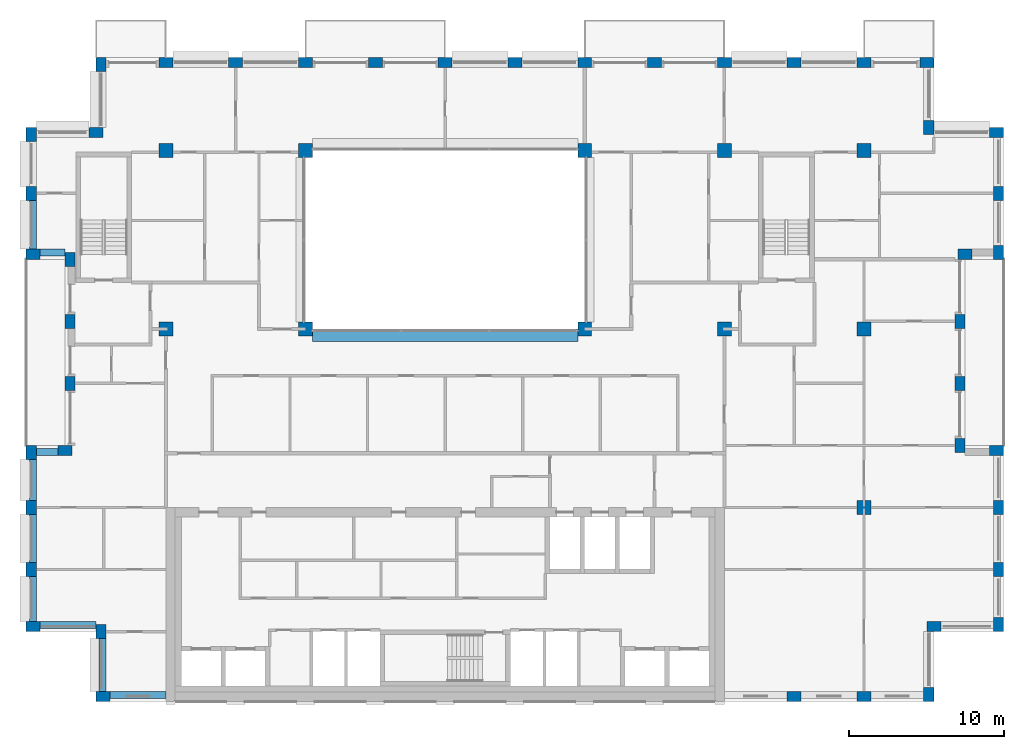
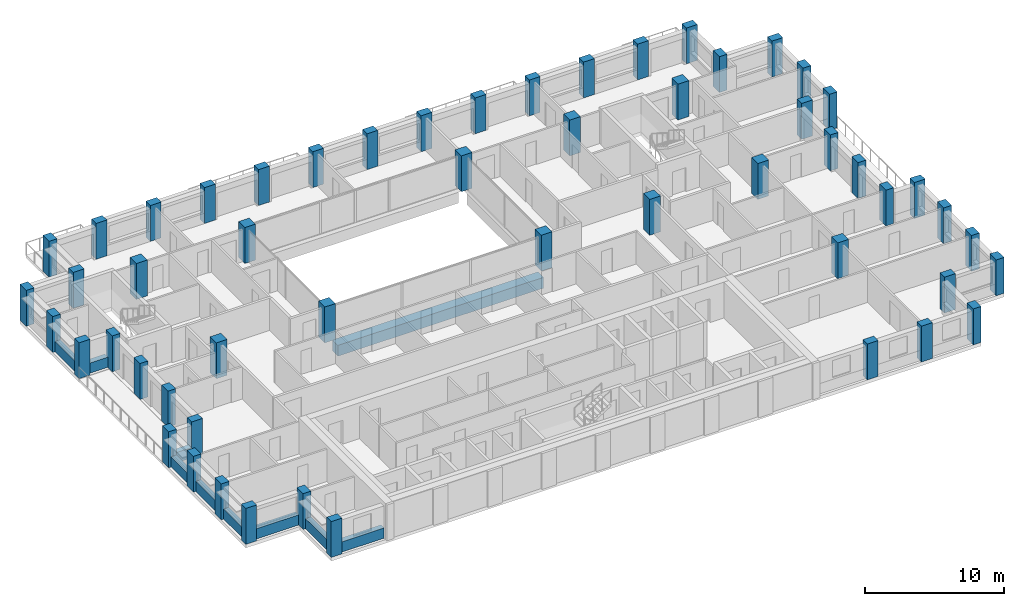
# One storey, part 1 of 15: 54 columns, 10 beams.
"""IFC4 building model written with IfcOpenShell, lengths in metres."""

import ifcopenshell
import ifcopenshell.guid

model = None  # the IFC model being written
_history = None  # IfcOwnerHistory: only IFC2X3 demands one
_inside = {}  # id of a spatial element -> (the spatial element, [elements in it])
_under = {}  # id of a project, library or spatial element -> (it, [spatial elements below it])
_declared = {}  # id of a project -> (the project, [libraries it declares])
_typed = {}  # id of a type object -> (the type object, [elements of that type])
_made_of = {}  # id of a material, layer set ... -> (it, [elements and type objects made of it])


def new_model(schema):
    """Start an empty IFC model of exactly this schema.

    Asked for "IFC4X3", IfcOpenShell would pick the latest addendum, in which some entities
    have other attributes; the version numbers below select the first issue.
    IFC2X3 requires an IfcOwnerHistory on every rooted entity: one is made here for all.
    """
    global model, _history
    if schema == "IFC4X3":
        model = ifcopenshell.file(schema_version=(4, 3, 0, 0))
    else:
        model = ifcopenshell.file(schema=schema)
    _inside.clear()
    _under.clear()
    _declared.clear()
    _typed.clear()
    _made_of.clear()
    _history = None
    if model.schema == "IFC2X3":
        org = make("IfcOrganization", Name="unknown")
        user = make(
            "IfcPersonAndOrganization",
            ThePerson=make("IfcPerson", FamilyName="unknown"),
            TheOrganization=org,
        )
        app = make(
            "IfcApplication",
            ApplicationDeveloper=org,
            Version="unknown",
            ApplicationFullName="unknown",
            ApplicationIdentifier="unknown",
        )
        _history = make(
            "IfcOwnerHistory",
            OwningUser=user,
            OwningApplication=app,
            ChangeAction="ADDED",
            CreationDate=0,
        )
    return model


def make(cls, **values):
    """One entity of the class cls with the attributes given. An attribute that is None is left unset."""
    return model.create_entity(
        cls, **{name: value for name, value in values.items() if value is not None}
    )


def rooted(cls, **values):
    """An entity with a GlobalId (a new one), such as an element, a storey or a relation."""
    return make(cls, GlobalId=ifcopenshell.guid.new(), OwnerHistory=_history, **values)


def si_unit(unit_type, name, prefix=None):
    """IfcSIUnit, for example si_unit("LENGTHUNIT", "METRE", prefix="MILLI")."""
    return make("IfcSIUnit", UnitType=unit_type, Prefix=prefix, Name=name)


def assignment(units):
    """IfcUnitAssignment: the units of a project."""
    return None if units is None else make("IfcUnitAssignment", Units=units)


def point(xyz):
    """IfcCartesianPoint."""
    return None if xyz is None else make("IfcCartesianPoint", Coordinates=xyz)


def direction(xyz):
    """IfcDirection."""
    return None if xyz is None else make("IfcDirection", DirectionRatios=xyz)


def frame(location, z_axis=None, x_axis=None):
    """IfcAxis2Placement3D, a coordinate frame: its origin and axes. An axis left out is left unset."""
    return make(
        "IfcAxis2Placement3D",
        Location=point(location),
        Axis=direction(z_axis),
        RefDirection=direction(x_axis),
    )


def frame_2d(location, x_axis=None):
    """IfcAxis2Placement2D, a coordinate frame in the plane: its origin and x axis."""
    return make(
        "IfcAxis2Placement2D", Location=point(location), RefDirection=direction(x_axis)
    )


def origin():
    """The frame at (0, 0, 0) with its axes left unset."""
    return frame((0.0, 0.0, 0.0))


def origin_2d():
    """The frame at (0, 0) in the plane with its x axis left unset."""
    return frame_2d((0.0, 0.0))


def place(relative_to, where):
    """IfcLocalPlacement: puts the frame where relative to a parent placement (None: the world)."""
    return make(
        "IfcLocalPlacement", PlacementRelTo=relative_to, RelativePlacement=where
    )


def context(
    kind, dimensions, precision=None, world=None, true_north=None, identifier=None
):
    """IfcGeometricRepresentationContext, for example the 3D "Model" context."""
    return make(
        "IfcGeometricRepresentationContext",
        ContextIdentifier=identifier,
        ContextType=kind,
        CoordinateSpaceDimension=dimensions,
        Precision=precision,
        WorldCoordinateSystem=world,
        TrueNorth=true_north,
    )


def subcontext(parent, identifier, kind, view, scale=None):
    """IfcGeometricRepresentationSubContext, for example "Body" below "Model"."""
    return make(
        "IfcGeometricRepresentationSubContext",
        ContextIdentifier=identifier,
        ContextType=kind,
        ParentContext=parent,
        TargetScale=scale,
        TargetView=view,
    )


def project(units=None, contexts=None):
    """IfcProject with its units and contexts."""
    return rooted(
        "IfcProject",
        Name="project",
        RepresentationContexts=contexts,
        UnitsInContext=assignment(units),
    )


def spatial(cls, under=None, at=None, **own):
    """A site, building, storey or space (cls), placed at a placement, below another one or the project."""
    s = rooted(cls, ObjectPlacement=at, **own)
    if under is not None:
        _under.setdefault(under.id(), (under, []))[1].append(s)
    return s


def profile(cls, at=None, kind="AREA", **sizes):
    """A parametric profile (cls). Its sizes go by their IFC names, for example OverallWidth=200.0."""
    return make(cls, ProfileType=kind, Position=at, **sizes)


def rectangle(**sizes):
    """IfcRectangleProfileDef."""
    return profile("IfcRectangleProfileDef", **sizes)


def extrude(swept, where, along, depth):
    """IfcExtrudedAreaSolid: the profile swept, set in the frame where, extruded along a direction by depth."""
    return make(
        "IfcExtrudedAreaSolid",
        SweptArea=swept,
        Position=where,
        ExtrudedDirection=direction(along),
        Depth=depth,
    )


def shape(context_of_items, identifier, shape_type, items):
    """IfcShapeRepresentation: the items that make up one representation, for example the "Body"."""
    return make(
        "IfcShapeRepresentation",
        ContextOfItems=context_of_items,
        RepresentationIdentifier=identifier,
        RepresentationType=shape_type,
        Items=items,
    )


def material(Name=None, Category=None):
    """IfcMaterial."""
    return make("IfcMaterial", Name=Name, Category=Category)


def material_profile(
    of_material, cross_section, Name=None, Category=None, Priority=None
):
    """IfcMaterialProfile: a cross section and its material."""
    return make(
        "IfcMaterialProfile",
        Name=Name,
        Material=of_material,
        Profile=cross_section,
        Priority=Priority,
        Category=Category,
    )


def profile_set(profiles, Name=None, composite=None):
    """IfcMaterialProfileSet."""
    return make(
        "IfcMaterialProfileSet",
        Name=Name,
        MaterialProfiles=profiles,
        CompositeProfile=composite,
    )


def made_of(thing, what):
    """Note that an element or type object is made of a material, layer set ...; save() writes the relation."""
    if what is not None:
        _made_of.setdefault(what.id(), (what, []))[1].append(thing)
    return thing


def type_object(cls, material=None, **own):
    """A type object (cls), such as IfcWallType, which elements share."""
    return made_of(rooted(cls, **own), material)


def element(
    cls,
    number,
    at=None,
    inside=None,
    cuts=None,
    type_object=None,
    material=None,
    context=None,
    identifier="Body",
    shape_type=None,
    held_by="IfcProductDefinitionShape",
    body=None,
    shapes=None,
    **own,
):
    """One element of the class cls, such as IfcWall. Its Tag is "e" and its number.

    at: its placement. inside: the storey or other place that contains it. cuts: it is an
    opening in that element (IfcRelVoidsElement). A single representation is given by context,
    identifier, shape_type and body (its items); several are given by shapes. held_by: the class
    of the entity that holds the representations. save() writes the other relations.
    """
    e = rooted(cls, Tag="e%d" % number, ObjectPlacement=at, **own)
    if body is not None:
        shapes = [shape(context, identifier, shape_type, body)]
    if shapes is not None:
        e.Representation = make(held_by, Representations=shapes)
    if inside is not None:
        _inside.setdefault(inside.id(), (inside, []))[1].append(e)
    if cuts is not None:
        rooted(
            "IfcRelVoidsElement", RelatingBuildingElement=cuts, RelatedOpeningElement=e
        )
    if type_object is not None:
        _typed.setdefault(type_object.id(), (type_object, []))[1].append(e)
    return made_of(e, material)


def aggregate(whole, parts):
    """IfcRelAggregates: a whole, such as a stair, and the parts it consists of."""
    return rooted("IfcRelAggregates", RelatingObject=whole, RelatedObjects=parts)


def save(model, path):
    """Write the relations noted so far, then the file.

    IfcRelAggregates (storeys below a building ...), IfcRelContainedInSpatialStructure (elements
    in a storey), IfcRelDefinesByType, IfcRelAssociatesMaterial and IfcRelDeclares: one each for
    every whole, place, type object, material and project.
    """
    for whole, parts in _under.values():
        aggregate(whole, parts)
    for where, things in _inside.values():
        rooted(
            "IfcRelContainedInSpatialStructure",
            RelatedElements=things,
            RelatingStructure=where,
        )
    for kind, things in _typed.values():
        rooted("IfcRelDefinesByType", RelatedObjects=things, RelatingType=kind)
    for what, things in _made_of.values():
        rooted("IfcRelAssociatesMaterial", RelatedObjects=things, RelatingMaterial=what)
    for by, libraries in _declared.values():
        rooted("IfcRelDeclares", RelatingContext=by, RelatedDefinitions=libraries)
    model.write(path)


model = new_model("IFC4")

# Units and contexts
model_context = context("Model", 3, precision=1e-05, world=origin(), true_north=direction((0.0, 1.0)))
body_context = subcontext(model_context, "Body", "Model", "MODEL_VIEW")
ifc_project = project(units=[si_unit("LENGTHUNIT", "METRE"), si_unit("AREAUNIT", "SQUARE_METRE"), si_unit("VOLUMEUNIT", "CUBIC_METRE"), si_unit("PLANEANGLEUNIT", "RADIAN"), si_unit("MASSUNIT", "GRAM", prefix="KILO")], contexts=[model_context])

# Site, building, storey
site_placement = place(None, origin())
site = spatial("IfcSite", under=ifc_project, at=site_placement, CompositionType="ELEMENT")
building_placement = place(site_placement, origin())
building = spatial("IfcBuilding", under=site, at=building_placement, Name="Brigalow Station Residences", CompositionType="ELEMENT")
storey_placement = place(building_placement, frame((0.0, 0.0, 210.60009765625)))
storey = spatial("IfcBuildingStorey", under=building, at=storey_placement, Name="L60", CompositionType="ELEMENT", Elevation=210.60009765625)

# Columns
ifc_material_1 = material(Name="Concrete C50", Category="concrete")
ifc_material_profile_1 = material_profile(ifc_material_1, rectangle(XDim=0.89990234375, YDim=0.89990234375, at=origin_2d()), Name="RC900x900")
ifc_profile_set_1 = profile_set([ifc_material_profile_1], Name="Concrete C50")
column_type_1 = type_object("IfcColumnType", Name="COLUMN 900x900 C50", PredefinedType="COLUMN", material=ifc_profile_set_1)
for number, where, z_axis, x_axis, name in (
    (1, (18.0, 24.0, 0.0), (0.0, 0.0, 1.0), (1.0, 0.0, 0.0), "COLUMN C2 L60"),
    (2, (27.0, 24.0, 0.0), (0.0, 0.0, 1.0), (1.0, 0.0, 0.0), "COLUMN C3 L60"),
    (3, (45.0, 24.0, 0.0), (0.0, 0.0, 1.0), (1.0, 0.0, 0.0), "COLUMN C5 L60"),
    (4, (54.0, 24.0, 0.0), (0.0, 0.0, 1.0), (1.0, 0.0, 0.0), "COLUMN C6 L60"),
    (5, (63.0, 24.0, 0.0), (0.0, 0.0, 1.0), (1.0, 0.0, 0.0), "COLUMN C7 L60"),
    (6, (18.0, 35.5, 0.0), (0.0, 0.0, 1.0), (1.0, 0.0, 0.0), "COLUMN D2 L60"),
    (7, (27.0, 35.5, 0.0), (0.0, 0.0, 1.0), (1.0, 0.0, 0.0), "COLUMN D3 L60"),
    (8, (45.0, 35.5, 0.0), (0.0, 0.0, 1.0), (1.0, 0.0, 0.0), "COLUMN D5 L60"),
    (9, (54.0, 35.5, 0.0), (0.0, 0.0, 1.0), (1.0, 0.0, 0.0), "COLUMN D6 L60"),
    (10, (63.0, 35.5, 0.0), (0.0, 0.0, 1.0), (1.0, 0.0, 0.0), "COLUMN D7 L60"),
    (11, (63.0, 12.5, 0.0), (0.0, 0.0, 1.0), (1.0, 0.0, 0.0), "COLUMN B7 L60"),
):
    element("IfcColumn", number, at=place(storey_placement, frame(where, z_axis=z_axis, x_axis=x_axis)), inside=storey, type_object=column_type_1, Name=name, PredefinedType="COLUMN", context=body_context, shape_type="SweptSolid", body=[
        extrude(rectangle(XDim=0.89990234375, YDim=0.89990234375, at=origin_2d()), origin(), (0.0, 0.0, 1.0), 3.14990234375),
    ])
ifc_material_2 = material(Name="Concrete C50", Category="concrete")
ifc_material_profile_2 = material_profile(ifc_material_2, rectangle(XDim=0.89990234375, YDim=0.64990234375, at=origin_2d()), Name="RC900x650")
ifc_profile_set_2 = profile_set([ifc_material_profile_2], Name="Concrete C50")
column_type_2 = type_object("IfcColumnType", Name="PIER 900x650 C50", PredefinedType="USERDEFINED", material=ifc_profile_set_2)
for number, where, z_axis, x_axis, name in (
    (12, (13.949951171875, 0.324951171875, 0.0), (0.0, 0.0, 1.0), (1.0, 0.0, 0.0), "PIER S-1 L60"),
    (13, (58.5, 0.324951171875, 0.0), (0.0, 0.0, 1.0), (1.0, 0.0, 0.0), "PIER S-11 L60"),
    (14, (63.0, 0.324951171875, 0.0), (0.0, 0.0, 1.0), (1.0, 0.0, 0.0), "PIER S-12 L60"),
    (15, (67.175048828125, 0.449951171875, 0.0), (0.0, 0.0, 1.0), (0.0, 1.0, 0.0), "PIER SE1-1 L60"),
    (16, (67.5, 4.824951171875, 0.0), (0.0, 0.0, 1.0), (1.0, 0.0, 0.0), "PIER SE2-1 L60"),
    (17, (71.675048828125, 4.949951171875, 0.0), (0.0, 0.0, 1.0), (0.0, 1.0, 0.0), "PIER E1-1 L60"),
    (18, (71.675048828125, 8.5, 0.0), (0.0, 0.0, 1.0), (0.0, 1.0, 0.0), "PIER E1-2 L60"),
    (19, (71.675048828125, 12.5, 0.0), (0.0, 0.0, 1.0), (0.0, 1.0, 0.0), "PIER E1-3 L60"),
    (20, (71.550048828125, 16.175048828125, 0.0), (0.0, 0.0, 1.0), (-1.0, 0.0, 0.0), "PIER EL1-1 L60"),
    (21, (69.175048828125, 16.5, 0.0), (0.0, 0.0, 1.0), (0.0, 1.0, 0.0), "PIER EL2-1 L60"),
    (22, (69.175048828125, 20.5, 0.0), (0.0, 0.0, 1.0), (0.0, 1.0, 0.0), "PIER EL2-2 L60"),
    (23, (69.175048828125, 24.5, 0.0), (0.0, 0.0, 1.0), (0.0, 1.0, 0.0), "PIER EL2-3 L60"),
    (24, (69.5, 28.824951171875, 0.0), (0.0, 0.0, 1.0), (1.0, 0.0, 0.0), "PIER EL3-1 L60"),
    (25, (71.675048828125, 28.949951171875, 0.0), (0.0, 0.0, 1.0), (0.0, 1.0, 0.0), "PIER E2-1 L60"),
    (26, (71.675048828125, 32.75, 0.0), (0.0, 0.0, 1.0), (0.0, 1.0, 0.0), "PIER E2-2 L60"),
    (27, (71.550048828125, 36.675048828125, 0.0), (0.0, 0.0, 1.0), (-1.0, 0.0, 0.0), "PIER NE1-1 L60"),
    (28, (67.175048828125, 37.0, 0.0), (0.0, 0.0, 1.0), (0.0, 1.0, 0.0), "PIER NE2-1 L60"),
    (29, (67.050048828125, 41.175048828125, 0.0), (0.0, 0.0, 1.0), (-1.0, 0.0, 0.0), "PIER N-1 L60"),
    (30, (63.0, 41.175048828125, 0.0), (0.0, 0.0, 1.0), (-1.0, 0.0, 0.0), "PIER N-2 L60"),
    (31, (58.5, 41.175048828125, 0.0), (0.0, 0.0, 1.0), (-1.0, 0.0, 0.0), "PIER N-3 L60"),
    (32, (54.0, 41.175048828125, 0.0), (0.0, 0.0, 1.0), (-1.0, 0.0, 0.0), "PIER N-4 L60"),
    (33, (49.5, 41.175048828125, 0.0), (0.0, 0.0, 1.0), (-1.0, 0.0, 0.0), "PIER N-5 L60"),
    (34, (45.0, 41.175048828125, 0.0), (0.0, 0.0, 1.0), (-1.0, 0.0, 0.0), "PIER N-6 L60"),
    (35, (40.5, 41.175048828125, 0.0), (0.0, 0.0, 1.0), (-1.0, 0.0, 0.0), "PIER N-7 L60"),
    (36, (36.0, 41.175048828125, 0.0), (0.0, 0.0, 1.0), (-1.0, 0.0, 0.0), "PIER N-8 L60"),
    (37, (31.5, 41.175048828125, 0.0), (0.0, 0.0, 1.0), (-1.0, 0.0, 0.0), "PIER N-9 L60"),
    (38, (27.0, 41.175048828125, 0.0), (0.0, 0.0, 1.0), (-1.0, 0.0, 0.0), "PIER N-10 L60"),
    (39, (22.5, 41.175048828125, 0.0), (0.0, 0.0, 1.0), (-1.0, 0.0, 0.0), "PIER N-11 L60"),
    (40, (18.0, 41.175048828125, 0.0), (0.0, 0.0, 1.0), (-1.0, 0.0, 0.0), "PIER N-12 L60"),
    (41, (13.824951171875, 41.050048828125, 0.0), (0.0, 0.0, 1.0), (0.0, -1.0, 0.0), "PIER NW1-1 L60"),
    (42, (13.5, 36.675048828125, 0.0), (0.0, 0.0, 1.0), (-1.0, 0.0, 0.0), "PIER NW2-1 L60"),
    (43, (9.324951171875, 36.550048828125, 0.0), (0.0, 0.0, 1.0), (0.0, -1.0, 0.0), "PIER W2-1 L60"),
    (44, (9.324951171875, 32.75, 0.0), (0.0, 0.0, 1.0), (0.0, -1.0, 0.0), "PIER W2-2 L60"),
    (45, (9.449951171875, 28.824951171875, 0.0), (0.0, 0.0, 1.0), (1.0, 0.0, 0.0), "PIER WL1-1 L60"),
    (46, (11.824951171875, 28.5, 0.0), (0.0, 0.0, 1.0), (0.0, -1.0, 0.0), "PIER WL2-1 L60"),
    (47, (11.824951171875, 24.5, 0.0), (0.0, 0.0, 1.0), (0.0, -1.0, 0.0), "PIER WL2-2 L60"),
    (48, (11.824951171875, 20.5, 0.0), (0.0, 0.0, 1.0), (0.0, -1.0, 0.0), "PIER WL2-3 L60"),
    (49, (11.5, 16.175048828125, 0.0), (0.0, 0.0, 1.0), (-1.0, 0.0, 0.0), "PIER WL3-1 L60"),
    (50, (9.324951171875, 16.050048828125, 0.0), (0.0, 0.0, 1.0), (0.0, -1.0, 0.0), "PIER W1-1 L60"),
    (51, (9.324951171875, 12.5, 0.0), (0.0, 0.0, 1.0), (0.0, -1.0, 0.0), "PIER W1-2 L60"),
    (52, (9.324951171875, 8.5, 0.0), (0.0, 0.0, 1.0), (0.0, -1.0, 0.0), "PIER W1-3 L60"),
    (53, (9.449951171875, 4.824951171875, 0.0), (0.0, 0.0, 1.0), (1.0, 0.0, 0.0), "PIER SW1-1 L60"),
    (54, (13.824951171875, 4.5, 0.0), (0.0, 0.0, 1.0), (0.0, -1.0, 0.0), "PIER SW2-1 L60"),
):
    element("IfcColumn", number, at=place(storey_placement, frame(where, z_axis=z_axis, x_axis=x_axis)), inside=storey, type_object=column_type_2, Name=name, ObjectType="PIER", PredefinedType="USERDEFINED", context=body_context, shape_type="SweptSolid", body=[
        extrude(rectangle(XDim=0.89990234375, YDim=0.64990234375, at=origin_2d()), origin(), (0.0, 0.0, 1.0), 3.14990234375),
    ])

# Beams
ifc_material_3 = material(Name="Concrete C65", Category="concrete")
ifc_material_profile_3 = material_profile(ifc_material_3, rectangle(XDim=0.800048828125, YDim=0.949951171875, at=origin_2d()), Name="RC800x950")
ifc_profile_set_3 = profile_set([ifc_material_profile_3], Name="Concrete C65")
beam_type_1 = type_object("IfcBeamType", Name="ATRIUM EDGE GIRDER OVER 13.5 M SPAN 800x950 C65", PredefinedType="BEAM", material=ifc_profile_set_3)
beam_1_placement = place(storey_placement, frame((27.449951171875, 23.60009765625, -0.795166015625), z_axis=(1.0, 0.0, 0.0), x_axis=(0.0, 1.0, 0.0)))
element("IfcBeam", 55, at=beam_1_placement, inside=storey, type_object=beam_type_1, Name="ATRIUM EDGE GIRDER C L60", PredefinedType="BEAM", context=body_context, shape_type="SweptSolid", body=[
    extrude(rectangle(XDim=0.800048828125, YDim=0.949951171875, at=origin_2d()), origin(), (0.0, 0.0, 1.0), 17.10009765625),
])
ifc_material_4 = material(Name="Concrete C50", Category="concrete")
ifc_material_profile_4 = material_profile(ifc_material_4, rectangle(XDim=0.449951171875, YDim=0.89990234375, at=origin_2d()), Name="RC450x900")
ifc_profile_set_4 = profile_set([ifc_material_profile_4], Name="Concrete C50")
beam_type_2 = type_object("IfcBeamType", Name="SPANDREL BEAM 450x900 C50", PredefinedType="SPANDREL", material=ifc_profile_set_4)
beam_2_placement = place(storey_placement, frame((14.39990234375, 0.425048828125, 0.449951171875), z_axis=(1.0, 0.0, 0.0), x_axis=(0.0, 1.0, 0.0)))
element("IfcBeam", 56, at=beam_2_placement, inside=storey, type_object=beam_type_2, Name="L60/spandrel/W-L60-1", PredefinedType="SPANDREL", context=body_context, shape_type="SweptSolid", body=[
    extrude(rectangle(XDim=0.449951171875, YDim=0.89990234375, at=origin_2d()), origin(), (0.0, 0.0, 1.0), 3.60009765625),
])
beam_3_placement = place(storey_placement, frame((9.425048828125, 32.300048828125, 0.449951171875), z_axis=(0.0, -1.0, 0.0), x_axis=(1.0, 0.0, 0.0)))
element("IfcBeam", 57, at=beam_3_placement, inside=storey, type_object=beam_type_2, Name="L60/spandrel/W-L60-35", PredefinedType="SPANDREL", context=body_context, shape_type="SweptSolid", body=[
    extrude(rectangle(XDim=0.449951171875, YDim=0.89990234375, at=origin_2d()), origin(), (0.0, 0.0, 1.0), 3.150146484375),
])
beam_4_placement = place(storey_placement, frame((9.89990234375, 28.925048828125, 0.449951171875), z_axis=(1.0, 0.0, 0.0), x_axis=(0.0, 1.0, 0.0)))
element("IfcBeam", 58, at=beam_4_placement, inside=storey, type_object=beam_type_2, Name="L60/spandrel/W-L60-36", PredefinedType="SPANDREL", context=body_context, shape_type="SweptSolid", body=[
    extrude(rectangle(XDim=0.449951171875, YDim=0.89990234375, at=origin_2d()), origin(), (0.0, 0.0, 1.0), 1.60009765625),
])
beam_5_placement = place(storey_placement, frame((11.050048828125, 16.074951171875, 0.449951171875), z_axis=(-1.0, 0.0, 0.0), x_axis=(0.0, -1.0, 0.0)))
element("IfcBeam", 59, at=beam_5_placement, inside=storey, type_object=beam_type_2, Name="L60/spandrel/W-L60-40", PredefinedType="SPANDREL", context=body_context, shape_type="SweptSolid", body=[
    extrude(rectangle(XDim=0.449951171875, YDim=0.89990234375, at=origin_2d()), origin(), (0.0, 0.0, 1.0), 1.400146484375),
])
beam_6_placement = place(storey_placement, frame((9.425048828125, 15.60009765625, 0.449951171875), z_axis=(0.0, -1.0, 0.0), x_axis=(1.0, 0.0, 0.0)))
element("IfcBeam", 60, at=beam_6_placement, inside=storey, type_object=beam_type_2, Name="L60/spandrel/W-L60-41", PredefinedType="SPANDREL", context=body_context, shape_type="SweptSolid", body=[
    extrude(rectangle(XDim=0.449951171875, YDim=0.89990234375, at=origin_2d()), origin(), (0.0, 0.0, 1.0), 2.650146484375),
])
beam_7_placement = place(storey_placement, frame((9.425048828125, 12.050048828125, 0.449951171875), z_axis=(0.0, -1.0, 0.0), x_axis=(1.0, 0.0, 0.0)))
element("IfcBeam", 61, at=beam_7_placement, inside=storey, type_object=beam_type_2, Name="L60/spandrel/W-L60-42", PredefinedType="SPANDREL", context=body_context, shape_type="SweptSolid", body=[
    extrude(rectangle(XDim=0.449951171875, YDim=0.89990234375, at=origin_2d()), origin(), (0.0, 0.0, 1.0), 3.10009765625),
])
beam_8_placement = place(storey_placement, frame((9.425048828125, 8.050048828125, 0.449951171875), z_axis=(0.0, -1.0, 0.0), x_axis=(1.0, 0.0, 0.0)))
element("IfcBeam", 62, at=beam_8_placement, inside=storey, type_object=beam_type_2, Name="L60/spandrel/W-L60-43", PredefinedType="SPANDREL", context=body_context, shape_type="SweptSolid", body=[
    extrude(rectangle(XDim=0.449951171875, YDim=0.89990234375, at=origin_2d()), origin(), (0.0, 0.0, 1.0), 2.900146484375),
])
beam_9_placement = place(storey_placement, frame((9.89990234375, 4.925048828125, 0.449951171875), z_axis=(1.0, 0.0, 0.0), x_axis=(0.0, 1.0, 0.0)))
element("IfcBeam", 63, at=beam_9_placement, inside=storey, type_object=beam_type_2, Name="L60/spandrel/W-L60-44", PredefinedType="SPANDREL", context=body_context, shape_type="SweptSolid", body=[
    extrude(rectangle(XDim=0.449951171875, YDim=0.89990234375, at=origin_2d()), origin(), (0.0, 0.0, 1.0), 3.60009765625),
])
beam_10_placement = place(storey_placement, frame((13.925048828125, 4.050048828125, 0.449951171875), z_axis=(0.0, -1.0, 0.0), x_axis=(1.0, 0.0, 0.0)))
element("IfcBeam", 64, at=beam_10_placement, inside=storey, type_object=beam_type_2, Name="L60/spandrel/W-L60-45", PredefinedType="SPANDREL", context=body_context, shape_type="SweptSolid", body=[
    extrude(rectangle(XDim=0.449951171875, YDim=0.89990234375, at=origin_2d()), origin(), (0.0, 0.0, 1.0), 3.400146484375),
])

save(model, "model.ifc")
